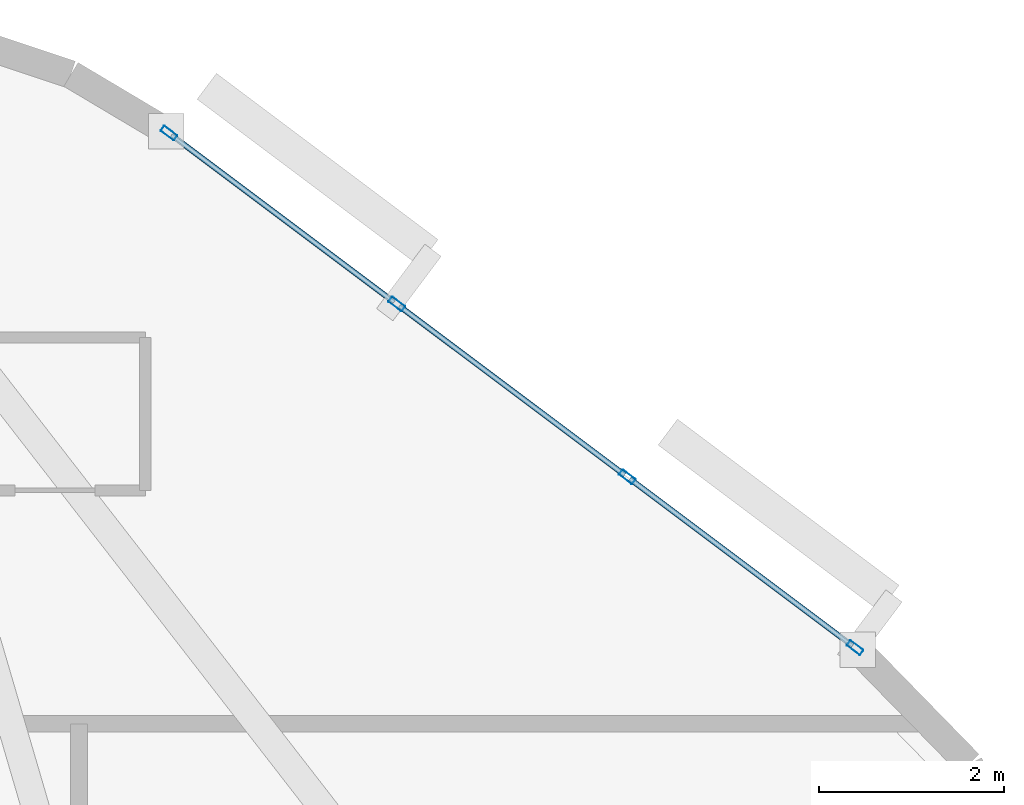
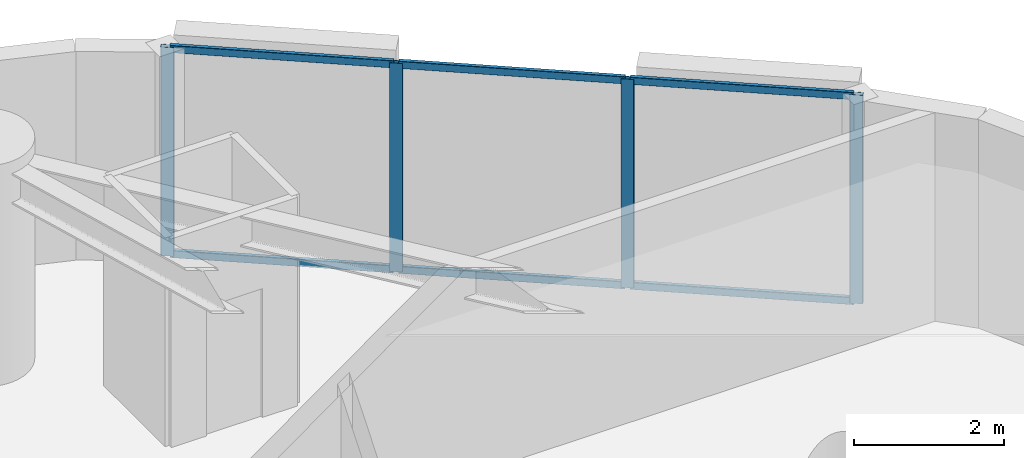
# One storey, part 6 of 13: 10 members, 1 element without a shape of its own.
"""IFC4 building model written with IfcOpenShell, lengths in metres."""

from ifc_helpers import new_model, si_unit, direction, frame, origin, origin_2d, place, context, subcontext, project, spatial, hollow_rectangle, extrude, material, layer, layer_set, material_profile, profile_set, type_object, element, aggregate, save


model = new_model("IFC4")

# Units and contexts
model_context = context("Model", 3, precision=1e-05, world=origin(), true_north=direction((0.0, 1.0)))
body_context = subcontext(model_context, "Body", "Model", "MODEL_VIEW")
ifc_project = project(units=[si_unit("LENGTHUNIT", "METRE"), si_unit("AREAUNIT", "SQUARE_METRE"), si_unit("VOLUMEUNIT", "CUBIC_METRE"), si_unit("PLANEANGLEUNIT", "RADIAN"), si_unit("MASSUNIT", "GRAM", prefix="KILO")], contexts=[model_context])

# Site, building, storey
site_placement = place(None, origin())
site = spatial("IfcSite", under=ifc_project, at=site_placement, CompositionType="ELEMENT")
building_placement = place(site_placement, origin())
building = spatial("IfcBuilding", under=site, at=building_placement, Name="An Khanh Terracotta Commons", CompositionType="ELEMENT")
storey_placement = place(building_placement, frame((0.0, 0.0, 125.89990234375)))
storey = spatial("IfcBuildingStorey", under=building, at=storey_placement, Name="L33", CompositionType="ELEMENT", Elevation=125.89990234375)

# Curtain wall, members
ifc_material = material(Name="Anodised Aluminium 6063-T6", Category="aluminium")
ifc_layer = layer(ifc_material, 0.199951171875, Name="Anodised Aluminium 6063-T6")
ifc_layer_set = layer_set([ifc_layer], Name="Anodised Aluminium 6063-T6")
curtain_wall_type = type_object("IfcCurtainWallType", Name="CW-SYS-02", PredefinedType="USERDEFINED", material=ifc_layer_set)
curtain_wall_placement = place(storey_placement, origin())
curtain_wall = element("IfcCurtainWall", 1, at=curtain_wall_placement, inside=storey, type_object=curtain_wall_type, Name="L33 CW-02 Unitised Curtain Wall CW-L33-16", ObjectType="UNITISED CURTAIN WALL", PredefinedType="USERDEFINED")
ifc_material_profile_1 = material_profile(ifc_material, hollow_rectangle(XDim=0.070068359375, YDim=0.179931640625, WallThickness=0.00390625, InnerFilletRadius=0.00390625, OuterFilletRadius=0.008056640625, at=origin_2d()), Name="RHS180x70x4")
ifc_profile_set_1 = profile_set([ifc_material_profile_1], Name="Anodised Aluminium 6063-T6")
member_type_1 = type_object("IfcMemberType", Name="CWM-RHS180x70x4", PredefinedType="MULLION", material=ifc_profile_set_1)
member_1_placement = place(storey_placement, frame((55.132080078125, 37.10107421875, 0.0), z_axis=(0.0, 0.0, 1.0), x_axis=(-0.599982857492, -0.800012856594, 0.0)))
member_1 = element("IfcMember", 2, at=member_1_placement, type_object=member_type_1, Name="CW-02 mullion 1", PredefinedType="MULLION", context=body_context, shape_type="SweptSolid", body=[
    extrude(hollow_rectangle(XDim=0.070068359375, YDim=0.179931640625, WallThickness=0.00390625, InnerFilletRadius=0.00390625, OuterFilletRadius=0.008056640625, at=origin_2d()), origin(), (0.0, 0.0, 1.0), 3.400146484375),
])
member_2_placement = place(storey_placement, frame((52.6708984375, 38.94677734375, 0.0), z_axis=(0.0, 0.0, 1.0), x_axis=(-0.599982857492, -0.800012856594, 0.0)))
member_2 = element("IfcMember", 3, at=member_2_placement, type_object=member_type_1, Name="CW-02 mullion 2", PredefinedType="MULLION", context=body_context, shape_type="SweptSolid", body=[
    extrude(hollow_rectangle(XDim=0.070068359375, YDim=0.179931640625, WallThickness=0.00390625, InnerFilletRadius=0.00390625, OuterFilletRadius=0.008056640625, at=origin_2d()), origin(), (0.0, 0.0, 1.0), 3.400146484375),
])
member_3_placement = place(storey_placement, frame((50.181884765625, 40.813232421875, 0.0), z_axis=(0.0, 0.0, 1.0), x_axis=(-0.599982857492, -0.800012856594, 0.0)))
member_3 = element("IfcMember", 4, at=member_3_placement, type_object=member_type_1, Name="CW-02 mullion 3", PredefinedType="MULLION", context=body_context, shape_type="SweptSolid", body=[
    extrude(hollow_rectangle(XDim=0.070068359375, YDim=0.179931640625, WallThickness=0.00390625, InnerFilletRadius=0.00390625, OuterFilletRadius=0.008056640625, at=origin_2d()), origin(), (0.0, 0.0, 1.0), 3.400146484375),
])
member_4_placement = place(storey_placement, frame((47.720947265625, 42.658935546875, 0.0), z_axis=(0.0, 0.0, 1.0), x_axis=(-0.599982857492, -0.800012856594, 0.0)))
member_4 = element("IfcMember", 5, at=member_4_placement, type_object=member_type_1, Name="CW-02 mullion 4", PredefinedType="MULLION", context=body_context, shape_type="SweptSolid", body=[
    extrude(hollow_rectangle(XDim=0.070068359375, YDim=0.179931640625, WallThickness=0.00390625, InnerFilletRadius=0.00390625, OuterFilletRadius=0.008056640625, at=origin_2d()), origin(), (0.0, 0.0, 1.0), 3.400146484375),
])
ifc_material_profile_2 = material_profile(ifc_material, hollow_rectangle(XDim=0.06005859375, YDim=0.1201171875, WallThickness=0.003662109375, InnerFilletRadius=0.003662109375, OuterFilletRadius=0.007080078125, at=origin_2d()), Name="RHS120x60x3.6")
ifc_profile_set_2 = profile_set([ifc_material_profile_2], Name="Anodised Aluminium 6063-T6")
member_type_2 = type_object("IfcMemberType", Name="CWT-RHS120x60x3.6", PredefinedType="USERDEFINED", material=ifc_profile_set_2)
member_5_placement = place(storey_placement, frame((55.10400390625, 37.1220703125, 0.030029296875), z_axis=(-0.800009745217, 0.599987006158, 0.0), x_axis=(-0.599987006158, -0.800009745217, 0.0)))
member_5 = element("IfcMember", 6, at=member_5_placement, type_object=member_type_2, Name="CW-02 transom 1.1", ObjectType="TRANSOM", PredefinedType="USERDEFINED", context=body_context, shape_type="SweptSolid", body=[
    extrude(hollow_rectangle(XDim=0.06005859375, YDim=0.1201171875, WallThickness=0.003662109375, InnerFilletRadius=0.003662109375, OuterFilletRadius=0.007080078125, at=origin_2d()), origin(), (0.0, 0.0, 1.0), 3.00634765625),
])
member_6_placement = place(storey_placement, frame((55.10400390625, 37.1220703125, 3.3701171875), z_axis=(-0.800009745217, 0.599987006158, 0.0), x_axis=(-0.599987006158, -0.800009745217, 0.0)))
member_6 = element("IfcMember", 7, at=member_6_placement, type_object=member_type_2, Name="CW-02 transom 1.2", ObjectType="TRANSOM", PredefinedType="USERDEFINED", context=body_context, shape_type="SweptSolid", body=[
    extrude(hollow_rectangle(XDim=0.06005859375, YDim=0.1201171875, WallThickness=0.003662109375, InnerFilletRadius=0.003662109375, OuterFilletRadius=0.007080078125, at=origin_2d()), origin(), (0.0, 0.0, 1.0), 3.00634765625),
])
member_7_placement = place(storey_placement, frame((52.64306640625, 38.9677734375, 0.030029296875), z_axis=(-0.800057796972, 0.599922929638, 0.0), x_axis=(-0.599922929638, -0.800057796972, 0.0)))
member_7 = element("IfcMember", 8, at=member_7_placement, type_object=member_type_2, Name="CW-02 transom 2.1", ObjectType="TRANSOM", PredefinedType="USERDEFINED", context=body_context, shape_type="SweptSolid", body=[
    extrude(hollow_rectangle(XDim=0.06005859375, YDim=0.1201171875, WallThickness=0.003662109375, InnerFilletRadius=0.003662109375, OuterFilletRadius=0.007080078125, at=origin_2d()), origin(), (0.0, 0.0, 1.0), 3.041259765625),
])
member_8_placement = place(storey_placement, frame((52.64306640625, 38.9677734375, 3.3701171875), z_axis=(-0.800057796972, 0.599922929638, 0.0), x_axis=(-0.599922929638, -0.800057796972, 0.0)))
member_8 = element("IfcMember", 9, at=member_8_placement, type_object=member_type_2, Name="CW-02 transom 2.2", ObjectType="TRANSOM", PredefinedType="USERDEFINED", context=body_context, shape_type="SweptSolid", body=[
    extrude(hollow_rectangle(XDim=0.06005859375, YDim=0.1201171875, WallThickness=0.003662109375, InnerFilletRadius=0.003662109375, OuterFilletRadius=0.007080078125, at=origin_2d()), origin(), (0.0, 0.0, 1.0), 3.041259765625),
])
member_9_placement = place(storey_placement, frame((50.154052734375, 40.834228515625, 0.030029296875), z_axis=(-0.800009745217, 0.599987006158, 0.0), x_axis=(-0.599987006158, -0.800009745217, 0.0)))
member_9 = element("IfcMember", 10, at=member_9_placement, type_object=member_type_2, Name="CW-02 transom 3.1", ObjectType="TRANSOM", PredefinedType="USERDEFINED", context=body_context, shape_type="SweptSolid", body=[
    extrude(hollow_rectangle(XDim=0.06005859375, YDim=0.1201171875, WallThickness=0.003662109375, InnerFilletRadius=0.003662109375, OuterFilletRadius=0.007080078125, at=origin_2d()), origin(), (0.0, 0.0, 1.0), 3.00634765625),
])
member_10_placement = place(storey_placement, frame((50.154052734375, 40.834228515625, 3.3701171875), z_axis=(-0.800009745217, 0.599987006158, 0.0), x_axis=(-0.599987006158, -0.800009745217, 0.0)))
member_10 = element("IfcMember", 11, at=member_10_placement, type_object=member_type_2, Name="CW-02 transom 3.2", ObjectType="TRANSOM", PredefinedType="USERDEFINED", context=body_context, shape_type="SweptSolid", body=[
    extrude(hollow_rectangle(XDim=0.06005859375, YDim=0.1201171875, WallThickness=0.003662109375, InnerFilletRadius=0.003662109375, OuterFilletRadius=0.007080078125, at=origin_2d()), origin(), (0.0, 0.0, 1.0), 3.00634765625),
])
aggregate(curtain_wall, [member_1, member_2, member_3, member_4, member_5, member_6, member_7, member_8, member_9, member_10])

save(model, "model.ifc")
